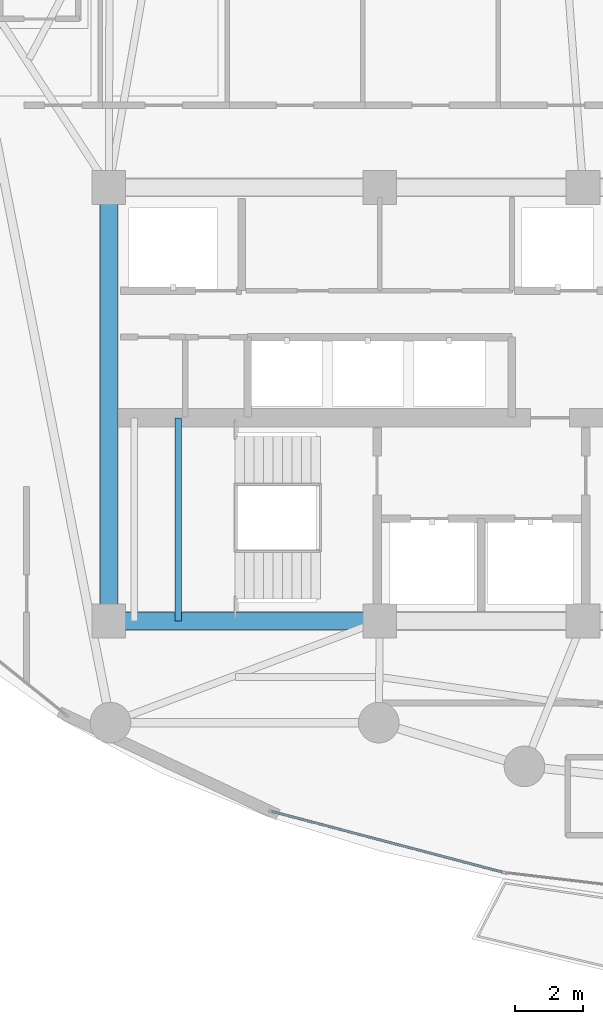
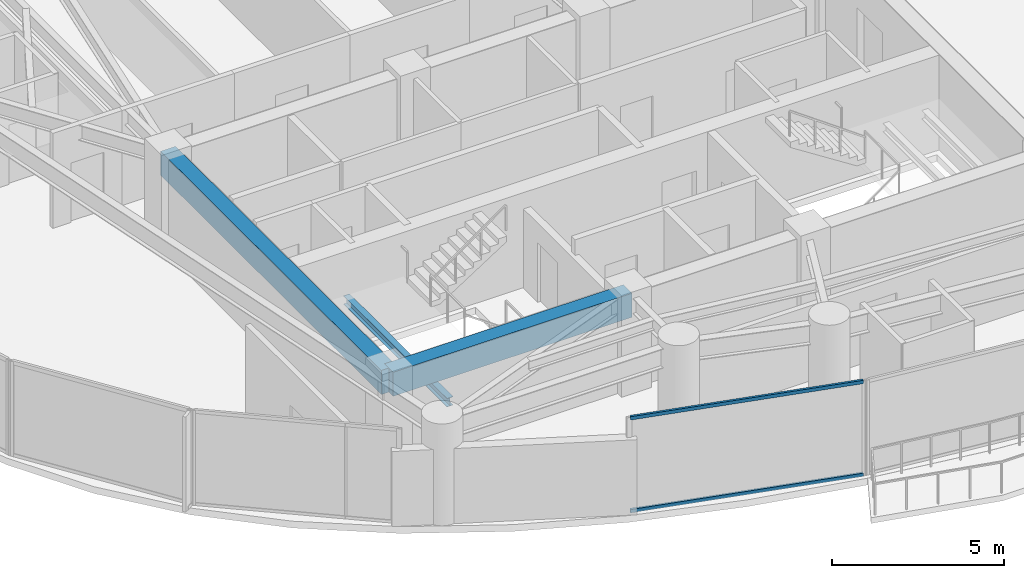
# One storey, part 4 of 34: 3 beams, 2 members, 1 element without a shape of its own.
"""IFC4 building model written with IfcOpenShell, lengths in metres."""

from ifc_helpers import new_model, si_unit, direction, frame, origin, origin_2d, place, context, subcontext, project, spatial, rectangle, hollow_rectangle, i_section, extrude, material, layer, layer_set, material_profile, profile_set, type_object, element, aggregate, save


model = new_model("IFC4")

# Units and contexts
model_context = context("Model", 3, precision=1e-05, world=origin(), true_north=direction((0.0, 1.0)))
body_context = subcontext(model_context, "Body", "Model", "MODEL_VIEW")
ifc_project = project(units=[si_unit("LENGTHUNIT", "METRE"), si_unit("AREAUNIT", "SQUARE_METRE"), si_unit("VOLUMEUNIT", "CUBIC_METRE"), si_unit("PLANEANGLEUNIT", "RADIAN"), si_unit("MASSUNIT", "GRAM", prefix="KILO")], contexts=[model_context])

# Site, building, storey
site_placement = place(None, origin())
site = spatial("IfcSite", under=ifc_project, at=site_placement, CompositionType="ELEMENT")
building_placement = place(site_placement, origin())
building = spatial("IfcBuilding", under=site, at=building_placement, Name="Kazevale Care Tower and Concert Hall", CompositionType="ELEMENT")
storey_placement = place(building_placement, frame((0.0, 0.0, 167.39990234375)))
storey = spatial("IfcBuildingStorey", under=building, at=storey_placement, Name="L44", CompositionType="ELEMENT", Elevation=167.39990234375)

# Curtain wall, members
ifc_material_1 = material(Name="Aluminium 6063-T6 and Low-E Glass", Category="aluminium")
ifc_layer = layer(ifc_material_1, 0.179931640625)
ifc_layer_set = layer_set([ifc_layer], Name="Aluminium 6063-T6 and Low-E Glass")
curtain_wall_type = type_object("IfcCurtainWallType", Name="Sheltered Concave Balcony Curtain Wall CW-5", PredefinedType="NOTDEFINED", material=ifc_layer_set)
curtain_wall_placement = place(storey_placement, origin())
curtain_wall = element("IfcCurtainWall", 1, at=curtain_wall_placement, inside=storey, type_object=curtain_wall_type, Name="cw:L44:f08", PredefinedType="NOTDEFINED")
ifc_material_2 = material(Name="Aluminium 6063-T6", Category="aluminium")
ifc_material_profile_1 = material_profile(ifc_material_2, hollow_rectangle(XDim=0.074951171875, YDim=0.1201171875, WallThickness=0.00390625, at=origin_2d()), Name="ALU75x120x4")
ifc_profile_set_1 = profile_set([ifc_material_profile_1], Name="Aluminium 6063-T6")
member_type = type_object("IfcMemberType", Name="CW-5 Transom ALU75x120x4", PredefinedType="USERDEFINED", material=ifc_profile_set_1)
member_1_placement = place(storey_placement, frame((33.598388671875, 16.193115234375, 0.03759765625), z_axis=(-0.967142752699, 0.254233939321, 0.0), x_axis=(-0.254233939321, -0.967142752699, 0.0)))
member_1 = element("IfcMember", 2, at=member_1_placement, type_object=member_type, Name="CW-5 transom 1.1", ObjectType="TRANSOM", PredefinedType="USERDEFINED", context=body_context, shape_type="SweptSolid", body=[
    extrude(hollow_rectangle(XDim=0.074951171875, YDim=0.1201171875, WallThickness=0.00390625, at=origin_2d()), origin(), (0.0, 0.0, 1.0), 6.996826171875),
])
member_2_placement = place(storey_placement, frame((33.598388671875, 16.193115234375, 3.322509765625), z_axis=(-0.967142752699, 0.254233939321, 0.0), x_axis=(-0.254233939321, -0.967142752699, 0.0)))
member_2 = element("IfcMember", 3, at=member_2_placement, type_object=member_type, Name="CW-5 transom 1.2", ObjectType="TRANSOM", PredefinedType="USERDEFINED", context=body_context, shape_type="SweptSolid", body=[
    extrude(hollow_rectangle(XDim=0.074951171875, YDim=0.1201171875, WallThickness=0.00390625, at=origin_2d()), origin(), (0.0, 0.0, 1.0), 6.996826171875),
])
aggregate(curtain_wall, [member_1, member_2])

# Beams
ifc_material_3 = material(Name="Concrete C60", Category="concrete")
ifc_material_profile_2 = material_profile(ifc_material_3, rectangle(XDim=0.5, YDim=0.85009765625, at=origin_2d()), Name="RC-B500x850")
ifc_profile_set_2 = profile_set([ifc_material_profile_2], Name="Concrete C60")
beam_type_1 = type_object("IfcBeamType", Name="Core Coupling Beam RC500x850", PredefinedType="LINTEL", material=ifc_profile_set_2)
beam_1_placement = place(storey_placement, frame((22.0, 23.60009765625, 2.93505859375), z_axis=(1.0, 0.0, 0.0), x_axis=(0.0, 1.0, 0.0)))
element("IfcBeam", 4, at=beam_1_placement, inside=storey, type_object=beam_type_1, Name="beam:L44:coretie:1", PredefinedType="LINTEL", context=body_context, shape_type="SweptSolid", body=[
    extrude(rectangle(XDim=0.5, YDim=0.85009765625, at=origin_2d()), origin(), (0.0, 0.0, 1.0), 8.0),
])
beam_2_placement = place(storey_placement, frame((22.0, 36.39990234375, 2.93505859375), z_axis=(0.0, -1.0, 0.0), x_axis=(1.0, 0.0, 0.0)))
element("IfcBeam", 5, at=beam_2_placement, inside=storey, type_object=beam_type_1, Name="beam:L44:coretie:8", PredefinedType="LINTEL", context=body_context, shape_type="SweptSolid", body=[
    extrude(rectangle(XDim=0.5, YDim=0.85009765625, at=origin_2d()), origin(), (0.0, 0.0, 1.0), 12.7998046875),
])
ifc_material_4 = material(Name="Steel ASTM A572 Gr 50", Category="steel")
ifc_material_profile_3 = material_profile(ifc_material_4, i_section(OverallWidth=0.202880859375, OverallDepth=0.302978515625, WebThickness=0.007568359375, FlangeThickness=0.01318359375, at=origin_2d()), Name="W310x60")
ifc_profile_set_3 = profile_set([ifc_material_profile_3], Name="Steel ASTM A572 Gr 50")
beam_type_2 = type_object("IfcBeamType", Name="Stair & Balcony Trimmer W310x60", PredefinedType="BEAM", material=ifc_profile_set_3)
beam_3_placement = place(storey_placement, frame((24.050048828125, 23.60009765625, 1.448486328125), z_axis=(0.0, 1.0, 0.0), x_axis=(-1.0, 0.0, 0.0)))
element("IfcBeam", 6, at=beam_3_placement, inside=storey, type_object=beam_type_2, Name="beam:L44:sttrim:ST1b", PredefinedType="BEAM", context=body_context, shape_type="SweptSolid", body=[
    extrude(i_section(OverallWidth=0.202880859375, OverallDepth=0.302978515625, WebThickness=0.007568359375, FlangeThickness=0.01318359375, at=origin_2d()), origin(), (0.0, 0.0, 1.0), 6.0),
])

save(model, "model.ifc")
